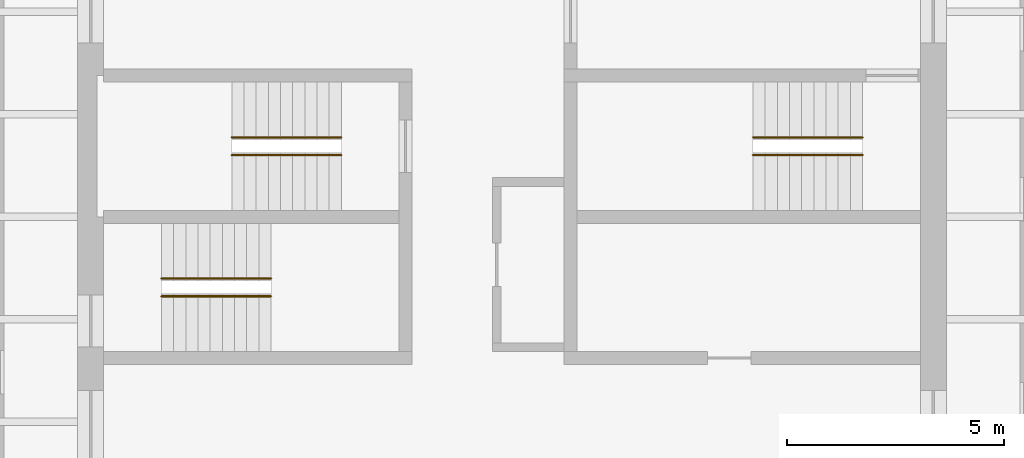
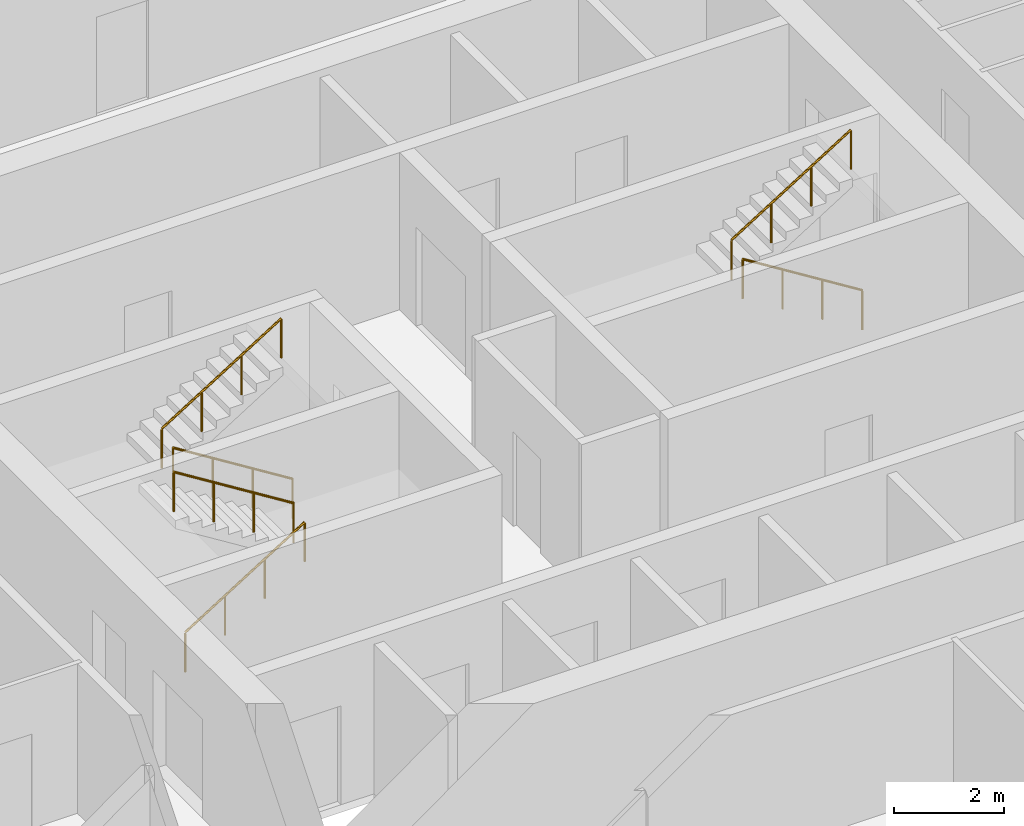
# One storey, part 9 of 9: 6 railings.
"""IFC4 building model written with IfcOpenShell, lengths in metres."""

from ifc_helpers import new_model, si_unit, direction, frame, origin, origin_2d, place, context, subcontext, project, spatial, circle, extrude, material, type_object, element, save


model = new_model("IFC4")

# Units and contexts
model_context = context("Model", 3, precision=1e-05, world=origin(), true_north=direction((0.0, 1.0)))
body_context = subcontext(model_context, "Body", "Model", "MODEL_VIEW")
ifc_project = project(units=[si_unit("LENGTHUNIT", "METRE"), si_unit("AREAUNIT", "SQUARE_METRE"), si_unit("VOLUMEUNIT", "CUBIC_METRE"), si_unit("PLANEANGLEUNIT", "RADIAN"), si_unit("MASSUNIT", "GRAM", prefix="KILO")], contexts=[model_context])

# Site, building, storey
site_placement = place(None, origin())
site = spatial("IfcSite", under=ifc_project, at=site_placement, CompositionType="ELEMENT")
building_placement = place(site_placement, origin())
building = spatial("IfcBuilding", under=site, at=building_placement, Name="Turquesa Mirador Hotel Tower", CompositionType="ELEMENT")
storey_placement = place(building_placement, frame((0.0, 0.0, 210.800048828125)))
storey = spatial("IfcBuildingStorey", under=building, at=storey_placement, Name="L57", CompositionType="ELEMENT", Elevation=210.800048828125)

# Railings
ifc_material = material(Name="Painted steel handrail", Category="steel")
railing_type = type_object("IfcRailingType", Name="HANDRAIL 900 STEEL", PredefinedType="HANDRAIL", material=ifc_material)
railing_1_placement = place(storey_placement, frame((51.070068359375, 46.419921875, 0.175048828125)))
element("IfcRailing", 1, at=railing_1_placement, inside=storey, type_object=railing_type, Name="Handrail ST1", PredefinedType="HANDRAIL", context=body_context, shape_type="SweptSolid", body=[
    extrude(circle(Radius=0.02392578125, at=origin_2d()), frame((0.0, 0.0, 0.8759765625), z_axis=(-0.848007534815, 0.0, 0.529984170421), x_axis=(0.0, -1.0, 0.0)), (0.0, 0.0, 1.0), 2.9716796875),
    extrude(circle(Radius=0.02099609375, at=origin_2d()), origin(), (0.0, 0.0, 1.0), 0.851806640625),
    extrude(circle(Radius=0.02099609375, at=origin_2d()), frame((-0.840087890625, 0.0, 0.52490234375)), (0.0, 0.0, 1.0), 0.851806640625),
    extrude(circle(Radius=0.02099609375, at=origin_2d()), frame((-1.679931640625, 0.0, 1.050048828125)), (0.0, 0.0, 1.0), 0.851806640625),
    extrude(circle(Radius=0.02099609375, at=origin_2d()), frame((-2.52001953125, 0.0, 1.574951171875)), (0.0, 0.0, 1.0), 0.851806640625),
])
for number, where, name in (
    (2, (48.550048828125, 46.830078125, 1.925048828125), "Handrail ST1"),
    (3, (46.929931640625, 43.169921875, 0.175048828125), "Handrail ST2"),
):
    element("IfcRailing", number, at=place(storey_placement, frame(where)), inside=storey, type_object=railing_type, Name=name, PredefinedType="HANDRAIL", context=body_context, shape_type="SweptSolid", body=[
        extrude(circle(Radius=0.02392578125, at=origin_2d()), frame((0.0, 0.0, 0.8759765625), z_axis=(0.848007534815, 0.0, 0.529984170421), x_axis=(0.0, 1.0, 0.0)), (0.0, 0.0, 1.0), 2.9716796875),
        extrude(circle(Radius=0.02099609375, at=origin_2d()), origin(), (0.0, 0.0, 1.0), 0.851806640625),
        extrude(circle(Radius=0.02099609375, at=origin_2d()), frame((0.840087890625, 0.0, 0.52490234375)), (0.0, 0.0, 1.0), 0.851806640625),
        extrude(circle(Radius=0.02099609375, at=origin_2d()), frame((1.679931640625, 0.0, 1.050048828125)), (0.0, 0.0, 1.0), 0.851806640625),
        extrude(circle(Radius=0.02099609375, at=origin_2d()), frame((2.52001953125, 0.0, 1.574951171875)), (0.0, 0.0, 1.0), 0.851806640625),
    ])
for number, where, name in (
    (4, (49.449951171875, 43.580078125, 1.925048828125), "Handrail ST2"),
    (5, (63.070068359375, 46.419921875, 0.175048828125), "Handrail ST3"),
):
    element("IfcRailing", number, at=place(storey_placement, frame(where)), inside=storey, type_object=railing_type, Name=name, PredefinedType="HANDRAIL", context=body_context, shape_type="SweptSolid", body=[
        extrude(circle(Radius=0.02392578125, at=origin_2d()), frame((0.0, 0.0, 0.8759765625), z_axis=(-0.848007534815, 0.0, 0.529984170421), x_axis=(0.0, -1.0, 0.0)), (0.0, 0.0, 1.0), 2.9716796875),
        extrude(circle(Radius=0.02099609375, at=origin_2d()), origin(), (0.0, 0.0, 1.0), 0.851806640625),
        extrude(circle(Radius=0.02099609375, at=origin_2d()), frame((-0.840087890625, 0.0, 0.52490234375)), (0.0, 0.0, 1.0), 0.851806640625),
        extrude(circle(Radius=0.02099609375, at=origin_2d()), frame((-1.679931640625, 0.0, 1.050048828125)), (0.0, 0.0, 1.0), 0.851806640625),
        extrude(circle(Radius=0.02099609375, at=origin_2d()), frame((-2.52001953125, 0.0, 1.574951171875)), (0.0, 0.0, 1.0), 0.851806640625),
    ])
railing_2_placement = place(storey_placement, frame((60.550048828125, 46.830078125, 1.925048828125)))
element("IfcRailing", 6, at=railing_2_placement, inside=storey, type_object=railing_type, Name="Handrail ST3", PredefinedType="HANDRAIL", context=body_context, shape_type="SweptSolid", body=[
    extrude(circle(Radius=0.02392578125, at=origin_2d()), frame((0.0, 0.0, 0.8759765625), z_axis=(0.848007534815, 0.0, 0.529984170421), x_axis=(0.0, 1.0, 0.0)), (0.0, 0.0, 1.0), 2.9716796875),
    extrude(circle(Radius=0.02099609375, at=origin_2d()), origin(), (0.0, 0.0, 1.0), 0.851806640625),
    extrude(circle(Radius=0.02099609375, at=origin_2d()), frame((0.840087890625, 0.0, 0.52490234375)), (0.0, 0.0, 1.0), 0.851806640625),
    extrude(circle(Radius=0.02099609375, at=origin_2d()), frame((1.679931640625, 0.0, 1.050048828125)), (0.0, 0.0, 1.0), 0.851806640625),
    extrude(circle(Radius=0.02099609375, at=origin_2d()), frame((2.52001953125, 0.0, 1.574951171875)), (0.0, 0.0, 1.0), 0.851806640625),
])

save(model, "model.ifc")
